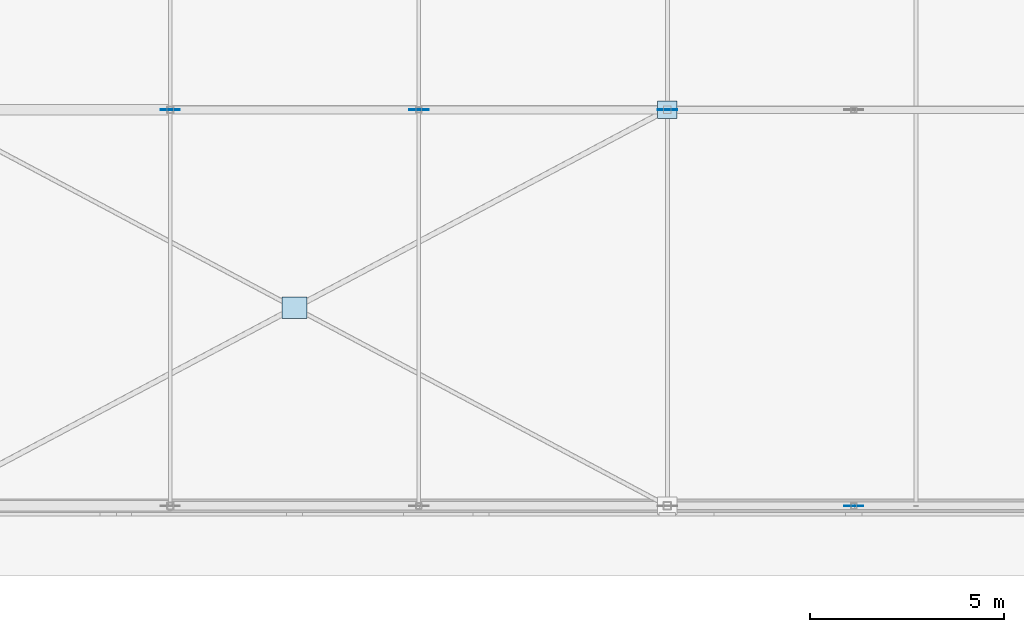
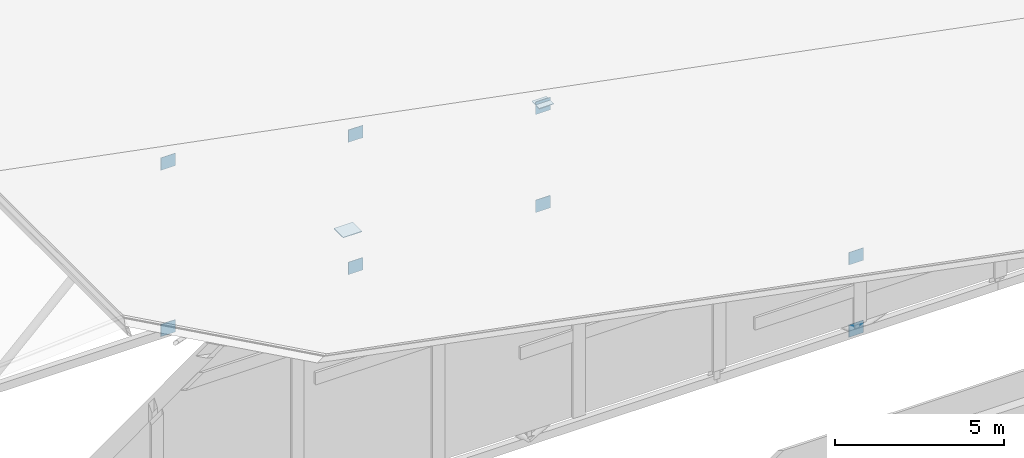
# One storey, part 146 of 200: 10 plates.
"""IFC4 building model written with IfcOpenShell, lengths in metres."""

import ifcopenshell
import ifcopenshell.guid

model = None  # the IFC model being written
_history = None  # IfcOwnerHistory: only IFC2X3 demands one
_inside = {}  # id of a spatial element -> (the spatial element, [elements in it])
_under = {}  # id of a project, library or spatial element -> (it, [spatial elements below it])
_declared = {}  # id of a project -> (the project, [libraries it declares])
_typed = {}  # id of a type object -> (the type object, [elements of that type])
_made_of = {}  # id of a material, layer set ... -> (it, [elements and type objects made of it])


def new_model(schema):
    """Start an empty IFC model of exactly this schema.

    Asked for "IFC4X3", IfcOpenShell would pick the latest addendum, in which some entities
    have other attributes; the version numbers below select the first issue.
    IFC2X3 requires an IfcOwnerHistory on every rooted entity: one is made here for all.
    """
    global model, _history
    if schema == "IFC4X3":
        model = ifcopenshell.file(schema_version=(4, 3, 0, 0))
    else:
        model = ifcopenshell.file(schema=schema)
    _inside.clear()
    _under.clear()
    _declared.clear()
    _typed.clear()
    _made_of.clear()
    _history = None
    if model.schema == "IFC2X3":
        org = make("IfcOrganization", Name="unknown")
        user = make(
            "IfcPersonAndOrganization",
            ThePerson=make("IfcPerson", FamilyName="unknown"),
            TheOrganization=org,
        )
        app = make(
            "IfcApplication",
            ApplicationDeveloper=org,
            Version="unknown",
            ApplicationFullName="unknown",
            ApplicationIdentifier="unknown",
        )
        _history = make(
            "IfcOwnerHistory",
            OwningUser=user,
            OwningApplication=app,
            ChangeAction="ADDED",
            CreationDate=0,
        )
    return model


def make(cls, **values):
    """One entity of the class cls with the attributes given. An attribute that is None is left unset."""
    return model.create_entity(
        cls, **{name: value for name, value in values.items() if value is not None}
    )


def rooted(cls, **values):
    """An entity with a GlobalId (a new one), such as an element, a storey or a relation."""
    return make(cls, GlobalId=ifcopenshell.guid.new(), OwnerHistory=_history, **values)


def si_unit(unit_type, name, prefix=None):
    """IfcSIUnit, for example si_unit("LENGTHUNIT", "METRE", prefix="MILLI")."""
    return make("IfcSIUnit", UnitType=unit_type, Prefix=prefix, Name=name)


def assignment(units):
    """IfcUnitAssignment: the units of a project."""
    return None if units is None else make("IfcUnitAssignment", Units=units)


def point(xyz):
    """IfcCartesianPoint."""
    return None if xyz is None else make("IfcCartesianPoint", Coordinates=xyz)


def direction(xyz):
    """IfcDirection."""
    return None if xyz is None else make("IfcDirection", DirectionRatios=xyz)


def frame(location, z_axis=None, x_axis=None):
    """IfcAxis2Placement3D, a coordinate frame: its origin and axes. An axis left out is left unset."""
    return make(
        "IfcAxis2Placement3D",
        Location=point(location),
        Axis=direction(z_axis),
        RefDirection=direction(x_axis),
    )


def frame_2d(location, x_axis=None):
    """IfcAxis2Placement2D, a coordinate frame in the plane: its origin and x axis."""
    return make(
        "IfcAxis2Placement2D", Location=point(location), RefDirection=direction(x_axis)
    )


def origin():
    """The frame at (0, 0, 0) with its axes left unset."""
    return frame((0.0, 0.0, 0.0))


def origin_2d():
    """The frame at (0, 0) in the plane with its x axis left unset."""
    return frame_2d((0.0, 0.0))


def place(relative_to, where):
    """IfcLocalPlacement: puts the frame where relative to a parent placement (None: the world)."""
    return make(
        "IfcLocalPlacement", PlacementRelTo=relative_to, RelativePlacement=where
    )


def context(
    kind, dimensions, precision=None, world=None, true_north=None, identifier=None
):
    """IfcGeometricRepresentationContext, for example the 3D "Model" context."""
    return make(
        "IfcGeometricRepresentationContext",
        ContextIdentifier=identifier,
        ContextType=kind,
        CoordinateSpaceDimension=dimensions,
        Precision=precision,
        WorldCoordinateSystem=world,
        TrueNorth=true_north,
    )


def subcontext(parent, identifier, kind, view, scale=None):
    """IfcGeometricRepresentationSubContext, for example "Body" below "Model"."""
    return make(
        "IfcGeometricRepresentationSubContext",
        ContextIdentifier=identifier,
        ContextType=kind,
        ParentContext=parent,
        TargetScale=scale,
        TargetView=view,
    )


def project(units=None, contexts=None):
    """IfcProject with its units and contexts."""
    return rooted(
        "IfcProject",
        Name="project",
        RepresentationContexts=contexts,
        UnitsInContext=assignment(units),
    )


def spatial(cls, under=None, at=None, **own):
    """A site, building, storey or space (cls), placed at a placement, below another one or the project."""
    s = rooted(cls, ObjectPlacement=at, **own)
    if under is not None:
        _under.setdefault(under.id(), (under, []))[1].append(s)
    return s


def profile(cls, at=None, kind="AREA", **sizes):
    """A parametric profile (cls). Its sizes go by their IFC names, for example OverallWidth=200.0."""
    return make(cls, ProfileType=kind, Position=at, **sizes)


def rectangle(**sizes):
    """IfcRectangleProfileDef."""
    return profile("IfcRectangleProfileDef", **sizes)


def extrude(swept, where, along, depth):
    """IfcExtrudedAreaSolid: the profile swept, set in the frame where, extruded along a direction by depth."""
    return make(
        "IfcExtrudedAreaSolid",
        SweptArea=swept,
        Position=where,
        ExtrudedDirection=direction(along),
        Depth=depth,
    )


def shape(context_of_items, identifier, shape_type, items):
    """IfcShapeRepresentation: the items that make up one representation, for example the "Body"."""
    return make(
        "IfcShapeRepresentation",
        ContextOfItems=context_of_items,
        RepresentationIdentifier=identifier,
        RepresentationType=shape_type,
        Items=items,
    )


def material(Name=None, Category=None):
    """IfcMaterial."""
    return make("IfcMaterial", Name=Name, Category=Category)


def layer(
    of_material, thickness, ventilated=None, Name=None, Category=None, Priority=None
):
    """IfcMaterialLayer: one layer of a wall or slab, of a material (None: an air gap)."""
    return make(
        "IfcMaterialLayer",
        Material=of_material,
        LayerThickness=thickness,
        IsVentilated=ventilated,
        Name=Name,
        Category=Category,
        Priority=Priority,
    )


def layer_set(layers, Name=None):
    """IfcMaterialLayerSet."""
    return make("IfcMaterialLayerSet", MaterialLayers=layers, LayerSetName=Name)


def made_of(thing, what):
    """Note that an element or type object is made of a material, layer set ...; save() writes the relation."""
    if what is not None:
        _made_of.setdefault(what.id(), (what, []))[1].append(thing)
    return thing


def type_object(cls, material=None, **own):
    """A type object (cls), such as IfcWallType, which elements share."""
    return made_of(rooted(cls, **own), material)


def element(
    cls,
    number,
    at=None,
    inside=None,
    cuts=None,
    type_object=None,
    material=None,
    context=None,
    identifier="Body",
    shape_type=None,
    held_by="IfcProductDefinitionShape",
    body=None,
    shapes=None,
    **own,
):
    """One element of the class cls, such as IfcWall. Its Tag is "e" and its number.

    at: its placement. inside: the storey or other place that contains it. cuts: it is an
    opening in that element (IfcRelVoidsElement). A single representation is given by context,
    identifier, shape_type and body (its items); several are given by shapes. held_by: the class
    of the entity that holds the representations. save() writes the other relations.
    """
    e = rooted(cls, Tag="e%d" % number, ObjectPlacement=at, **own)
    if body is not None:
        shapes = [shape(context, identifier, shape_type, body)]
    if shapes is not None:
        e.Representation = make(held_by, Representations=shapes)
    if inside is not None:
        _inside.setdefault(inside.id(), (inside, []))[1].append(e)
    if cuts is not None:
        rooted(
            "IfcRelVoidsElement", RelatingBuildingElement=cuts, RelatedOpeningElement=e
        )
    if type_object is not None:
        _typed.setdefault(type_object.id(), (type_object, []))[1].append(e)
    return made_of(e, material)


def aggregate(whole, parts):
    """IfcRelAggregates: a whole, such as a stair, and the parts it consists of."""
    return rooted("IfcRelAggregates", RelatingObject=whole, RelatedObjects=parts)


def save(model, path):
    """Write the relations noted so far, then the file.

    IfcRelAggregates (storeys below a building ...), IfcRelContainedInSpatialStructure (elements
    in a storey), IfcRelDefinesByType, IfcRelAssociatesMaterial and IfcRelDeclares: one each for
    every whole, place, type object, material and project.
    """
    for whole, parts in _under.values():
        aggregate(whole, parts)
    for where, things in _inside.values():
        rooted(
            "IfcRelContainedInSpatialStructure",
            RelatedElements=things,
            RelatingStructure=where,
        )
    for kind, things in _typed.values():
        rooted("IfcRelDefinesByType", RelatedObjects=things, RelatingType=kind)
    for what, things in _made_of.values():
        rooted("IfcRelAssociatesMaterial", RelatedObjects=things, RelatingMaterial=what)
    for by, libraries in _declared.values():
        rooted("IfcRelDeclares", RelatingContext=by, RelatedDefinitions=libraries)
    model.write(path)


model = new_model("IFC4")

# Units and contexts
model_context = context("Model", 3, precision=1e-05, world=origin(), true_north=direction((0.0, 1.0)))
body_context = subcontext(model_context, "Body", "Model", "MODEL_VIEW")
ifc_project = project(units=[si_unit("LENGTHUNIT", "METRE"), si_unit("AREAUNIT", "SQUARE_METRE"), si_unit("VOLUMEUNIT", "CUBIC_METRE"), si_unit("PLANEANGLEUNIT", "RADIAN"), si_unit("MASSUNIT", "GRAM", prefix="KILO")], contexts=[model_context])

# Site, building, storey
site_placement = place(None, origin())
site = spatial("IfcSite", under=ifc_project, at=site_placement, CompositionType="ELEMENT")
building_placement = place(site_placement, origin())
building = spatial("IfcBuilding", under=site, at=building_placement, Name="Vondelvale Polytechnic", CompositionType="ELEMENT")
storey_placement = place(building_placement, frame((0.0, 0.0, 13.800048828125)))
storey = spatial("IfcBuildingStorey", under=building, at=storey_placement, Name="L03", CompositionType="ELEMENT", Elevation=13.800048828125)

# Plates
ifc_material = material(Name="Steel Grade 350 (fy = 340 MPa)", Category="steel")
ifc_layer_1 = layer(ifc_material, 0.01611328125)
ifc_layer_set_1 = layer_set([ifc_layer_1], Name="PLATE-GUSSET-16")
plate_type_1 = type_object("IfcPlateType", Name="PLATE-GUSSET-16", PredefinedType="USERDEFINED", material=ifc_layer_set_1)
for number, where, z_axis, x_axis, name in (
    (1, (33.60009765625, 51.0, 2.0498046875), (0.0, 0.0, 1.0), (1.0, 0.0, 0.0), "ROOF TRUSS top chord gusset node plate 6"),
    (2, (33.60009765625, 51.0, -0.56494140625), (0.0, 0.0, 1.0), (1.0, 0.0, 0.0), "ROOF TRUSS bottom chord gusset node plate 6"),
    (3, (16.0, 61.199951171875, 5.44189453125), (0.0, 0.0, 1.0), (1.0, 0.0, 0.0), "ROOF TRUSS top chord gusset node plate 3"),
    (4, (16.0, 61.199951171875, -0.56494140625), (0.0, 0.0, 1.0), (1.0, 0.0, 0.0), "ROOF TRUSS bottom chord gusset node plate 3"),
    (5, (22.39990234375, 61.199951171875, 4.20849609375), (0.0, 0.0, 1.0), (1.0, 0.0, 0.0), "ROOF TRUSS top chord gusset node plate 4"),
    (6, (22.39990234375, 61.199951171875, -0.56494140625), (0.0, 0.0, 1.0), (1.0, 0.0, 0.0), "ROOF TRUSS bottom chord gusset node plate 4"),
    (7, (28.800048828125, 61.199951171875, 2.97509765625), (0.0, 0.0, 1.0), (1.0, 0.0, 0.0), "ROOF TRUSS top chord gusset node plate 5"),
    (8, (28.800048828125, 61.199951171875, -0.56494140625), (0.0, 0.0, 1.0), (1.0, 0.0, 0.0), "ROOF TRUSS bottom chord gusset node plate 5"),
):
    element("IfcPlate", number, at=place(storey_placement, frame(where, z_axis=z_axis, x_axis=x_axis)), inside=storey, type_object=plate_type_1, Name=name, ObjectType="GUSSET_PLATE", PredefinedType="USERDEFINED", context=body_context, shape_type="SweptSolid", body=[
        extrude(rectangle(XDim=0.5, YDim=0.01611328125, at=origin_2d()), origin(), (0.0, 0.0, 1.0), 0.449951171875),
    ])
plate_1_placement = place(storey_placement, frame((28.800048828125, 61.199951171875, 3.31201171875), z_axis=(0.0, 0.0, 1.0), x_axis=(1.0, 0.0, 0.0)))
element("IfcPlate", 9, at=plate_1_placement, inside=storey, type_object=plate_type_1, Name="Workshop roof brace end gusset plate 1-2", ObjectType="GUSSET_PLATE", PredefinedType="USERDEFINED", context=body_context, shape_type="SweptSolid", body=[
    extrude(rectangle(XDim=0.5, YDim=0.449951171875, at=origin_2d()), origin(), (0.0, 0.0, 1.0), 0.01611328125),
])
ifc_layer_2 = layer(ifc_material, 0.02001953125)
ifc_layer_set_2 = layer_set([ifc_layer_2], Name="PLATE-GUSSET-20")
plate_type_2 = type_object("IfcPlateType", Name="PLATE-GUSSET-20", PredefinedType="USERDEFINED", material=ifc_layer_set_2)
plate_2_placement = place(storey_placement, frame((19.199951171875, 56.10009765625, 5.159912109375), z_axis=(0.0, 0.0, 1.0), x_axis=(1.0, 0.0, 0.0)))
element("IfcPlate", 10, at=plate_2_placement, inside=storey, type_object=plate_type_2, Name="Workshop roof X-brace crossing gusset plate 1", ObjectType="GUSSET_PLATE", PredefinedType="USERDEFINED", context=body_context, shape_type="SweptSolid", body=[
    extrude(rectangle(XDim=0.64990234375, YDim=0.550048828125, at=origin_2d()), origin(), (0.0, 0.0, 1.0), 0.02001953125),
])

save(model, "model.ifc")
